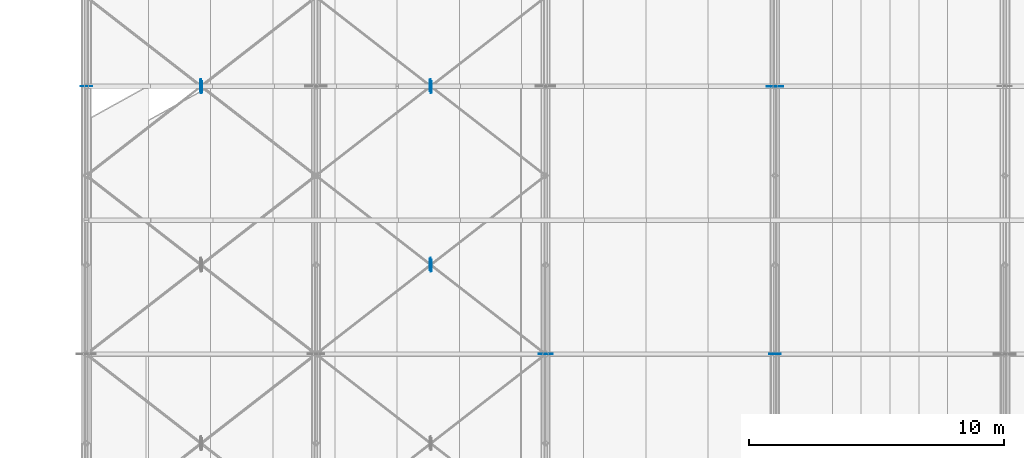
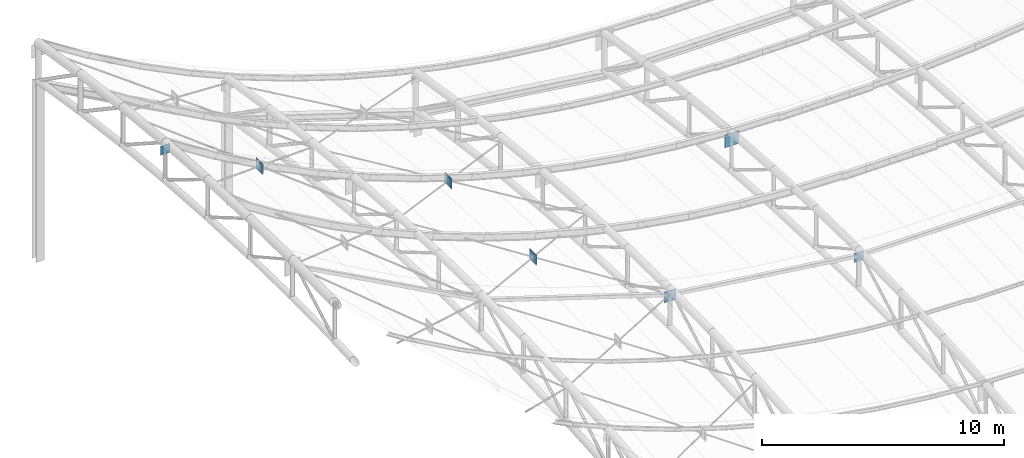
# One storey, part 239 of 262: 13 plates.
"""IFC4 building model written with IfcOpenShell, lengths in metres."""

from ifc_helpers import new_model, si_unit, derived_unit, direction, frame, origin, origin_2d, place, context, subcontext, project, spatial, rectangle, extrude, material, layer, layer_set, type_object, element, save


model = new_model("IFC4")

# Units and contexts
model_context = context("Model", 3, precision=1e-05, world=origin(), true_north=direction((0.0, 1.0)))
body_context = subcontext(model_context, "Body", "Model", "MODEL_VIEW")
ifc_project = project(units=[si_unit("LENGTHUNIT", "METRE"), si_unit("AREAUNIT", "SQUARE_METRE"), si_unit("VOLUMEUNIT", "CUBIC_METRE"), si_unit("PLANEANGLEUNIT", "RADIAN"), si_unit("MASSUNIT", "GRAM", prefix="KILO"), derived_unit("THERMALTRANSMITTANCEUNIT", [(si_unit("POWERUNIT", "WATT"), 1), (si_unit("LENGTHUNIT", "METRE"), -2), (si_unit("THERMODYNAMICTEMPERATUREUNIT", "KELVIN"), -1)])], contexts=[model_context])

# Site, building, storey
site_placement = place(None, origin())
site = spatial("IfcSite", under=ifc_project, at=site_placement, CompositionType="ELEMENT")
building_placement = place(site_placement, origin())
building = spatial("IfcBuilding", under=site, at=building_placement, Name="Almenara Railside Exhibition Hall", CompositionType="ELEMENT")
storey_placement = place(building_placement, frame((0.0, 0.0, 21.699951171875)))
storey = spatial("IfcBuildingStorey", under=building, at=storey_placement, Name="RF", CompositionType="ELEMENT", Elevation=21.699951171875)

# Plates
ifc_material = material(Name="Structural steel S355JR", Category="steel")
ifc_layer_1 = layer(ifc_material, 0.011962890625, Name="Structural steel S355JR")
ifc_layer_set_1 = layer_set([ifc_layer_1], Name="Structural steel S355JR")
plate_type_1 = type_object("IfcPlateType", Name="Truss Node Gusset Plate 12mm S355JR", PredefinedType="USERDEFINED", material=ifc_layer_set_1)
for number, where, z_axis, x_axis, name in (
    (1, (3.0, 31.5, 1.67529296875), (0.0, 0.0, 1.0), (1.0, 0.0, 0.0), "PLT-GUS-0228"),
    (2, (30.0, 21.0, -6.82666015625), (0.0, 0.0, 1.0), (1.0, 0.0, 0.0), "PLT-GUS-0242"),
    (3, (7.46728515625, 31.525390625, -0.73876953125), (0.0, 0.0, 1.0), (0.0, 1.0, 0.0), "PLT-GUS-0283"),
    (4, (7.53271484375, 31.474609375, -0.77001953125), (0.0, 0.0, 1.0), (0.0, 1.0, 0.0), "PLT-GUS-0284"),
    (5, (16.470703125, 24.522705078125, -4.23095703125), (0.0, 0.0, 1.0), (0.0, 1.0, 0.0), "PLT-GUS-0298"),
    (6, (16.529296875, 24.477294921875, -4.24853515625), (0.0, 0.0, 1.0), (0.0, 1.0, 0.0), "PLT-GUS-0299"),
    (7, (16.470458984375, 31.52294921875, -4.63232421875), (0.0, 0.0, 1.0), (0.0, 1.0, 0.0), "PLT-GUS-0301"),
    (8, (16.529541015625, 31.47705078125, -4.64697265625), (0.0, 0.0, 1.0), (0.0, 1.0, 0.0), "PLT-GUS-0302"),
):
    element("IfcPlate", number, at=place(storey_placement, frame(where, z_axis=z_axis, x_axis=x_axis)), inside=storey, type_object=plate_type_1, Name=name, ObjectType="GUSSET_PLATE", PredefinedType="USERDEFINED", context=body_context, shape_type="SweptSolid", body=[
        extrude(rectangle(XDim=0.449951171875, YDim=0.011962890625, at=origin_2d()), origin(), (0.0, 0.0, 1.0), 0.449951171875),
    ])
ifc_layer_2 = layer(ifc_material, 0.01611328125, Name="Structural steel S355JR")
ifc_layer_set_2 = layer_set([ifc_layer_2], Name="Structural steel S355JR")
plate_type_2 = type_object("IfcPlateType", Name="Truss Node Gusset Plate 16mm S355JR", PredefinedType="USERDEFINED", material=ifc_layer_set_2)
for number, where, z_axis, x_axis, name in (
    (9, (21.0, 21.0, -5.69580078125), (0.0, 0.0, 1.0), (1.0, 0.0, 0.0), "PLT-GUS-0237"),
    (10, (7.5, 31.5, -0.8046875), (0.0, 0.0, 1.0), (0.0, 1.0, 0.0), "PLT-GUS-0282"),
    (11, (16.5, 24.5, -4.28955078125), (0.0, 0.0, 1.0), (0.0, 1.0, 0.0), "PLT-GUS-0297"),
    (12, (16.5, 31.5, -4.68994140625), (0.0, 0.0, 1.0), (0.0, 1.0, 0.0), "PLT-GUS-0300"),
):
    element("IfcPlate", number, at=place(storey_placement, frame(where, z_axis=z_axis, x_axis=x_axis)), inside=storey, type_object=plate_type_2, Name=name, ObjectType="GUSSET_PLATE", PredefinedType="USERDEFINED", context=body_context, shape_type="SweptSolid", body=[
        extrude(rectangle(XDim=0.550048828125, YDim=0.01611328125, at=origin_2d()), origin(), (0.0, 0.0, 1.0), 0.550048828125),
    ])
ifc_layer_3 = layer(ifc_material, 0.02001953125, Name="Structural steel S355JR")
ifc_layer_set_3 = layer_set([ifc_layer_3], Name="Structural steel S355JR")
plate_type_3 = type_object("IfcPlateType", Name="Truss Node Gusset Plate 20mm S355JR", PredefinedType="USERDEFINED", material=ifc_layer_set_3)
plate_placement = place(storey_placement, frame((30.0, 31.5, -7.376708984375), z_axis=(0.0, 0.0, 1.0), x_axis=(1.0, 0.0, 0.0)))
element("IfcPlate", 13, at=plate_placement, inside=storey, type_object=plate_type_3, Name="PLT-GUS-0243", ObjectType="GUSSET_PLATE", PredefinedType="USERDEFINED", context=body_context, shape_type="SweptSolid", body=[
    extrude(rectangle(XDim=0.64990234375, YDim=0.02001953125, at=origin_2d()), origin(), (0.0, 0.0, 1.0), 0.64990234375),
])

save(model, "model.ifc")
